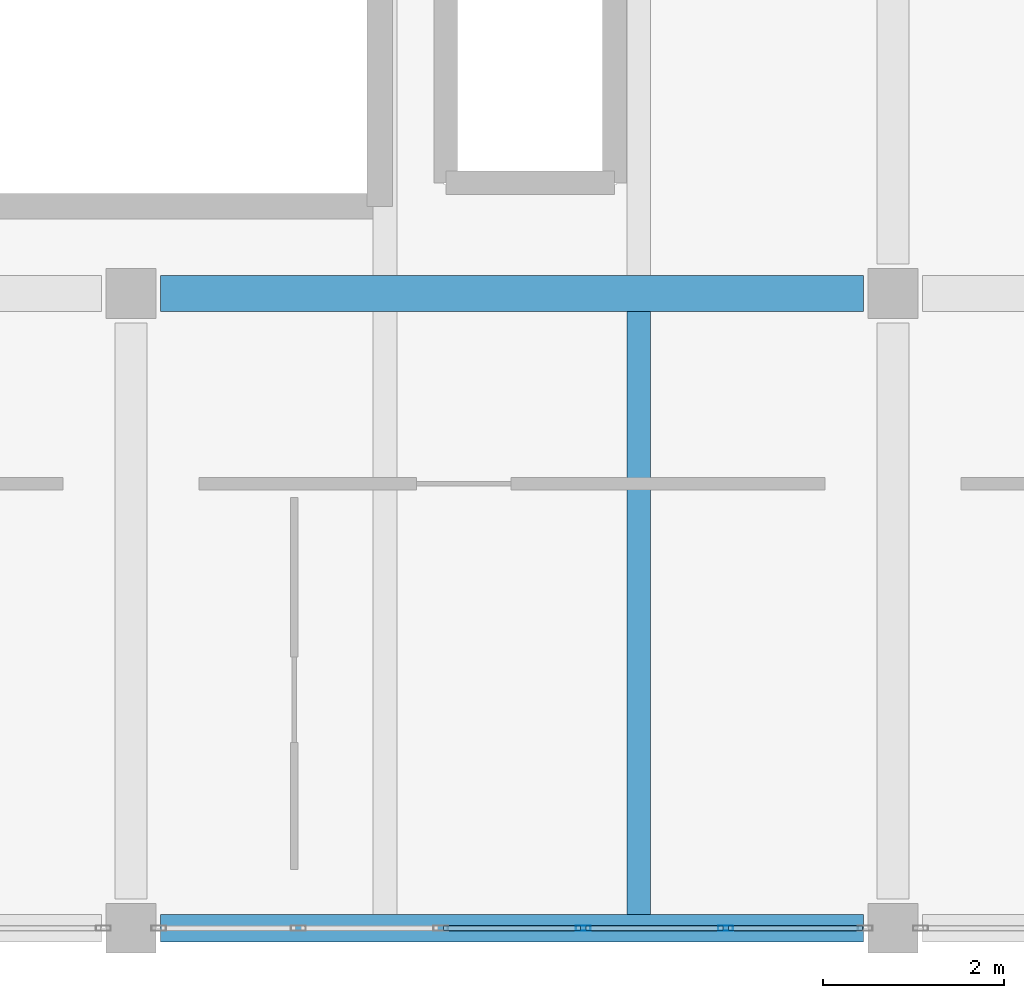
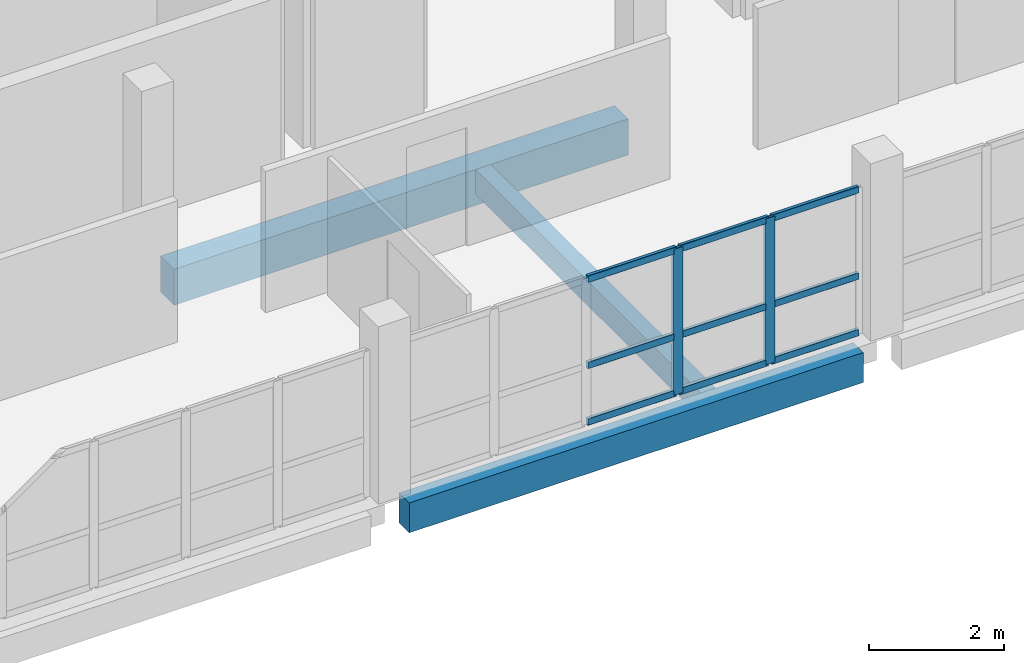
# One storey, part 3 of 24: 11 members, 3 beams, 1 element without a shape of its own.
"""IFC4 building model written with IfcOpenShell, lengths in metres."""

from ifc_helpers import new_model, si_unit, direction, frame, origin, origin_2d, place, context, subcontext, project, spatial, rectangle, hollow_rectangle, extrude, material, layer, layer_set, material_profile, profile_set, type_object, element, aggregate, save


model = new_model("IFC4")

# Units and contexts
model_context = context("Model", 3, precision=1e-05, world=origin(), true_north=direction((0.0, 1.0)))
body_context = subcontext(model_context, "Body", "Model", "MODEL_VIEW")
ifc_project = project(units=[si_unit("LENGTHUNIT", "METRE"), si_unit("AREAUNIT", "SQUARE_METRE"), si_unit("VOLUMEUNIT", "CUBIC_METRE"), si_unit("PLANEANGLEUNIT", "RADIAN"), si_unit("MASSUNIT", "GRAM", prefix="KILO"), si_unit("THERMODYNAMICTEMPERATUREUNIT", "KELVIN"), si_unit("POWERUNIT", "WATT")], contexts=[model_context])

# Site, building, storey
site_placement = place(None, origin())
site = spatial("IfcSite", under=ifc_project, at=site_placement, CompositionType="ELEMENT")
building_placement = place(site_placement, origin())
building = spatial("IfcBuilding", under=site, at=building_placement, Name="Mavoryth Pier Ferry Terminal", CompositionType="ELEMENT")
storey_placement = place(building_placement, frame((0.0, 0.0, 16.320068359375)))
storey = spatial("IfcBuildingStorey", under=building, at=storey_placement, Name="L04", CompositionType="ELEMENT", Elevation=16.320068359375)

# Beams
ifc_material_1 = material(Name="Concrete C35/45", Category="concrete")
ifc_material_profile_1 = material_profile(ifc_material_1, rectangle(XDim=0.39990234375, YDim=0.64990234375, at=origin_2d()), Name="RC 400x650", Category="concrete")
ifc_profile_set_1 = profile_set([ifc_material_profile_1], Name="Concrete C35/45 - RC 400x650")
beam_type_1 = type_object("IfcBeamType", Name="Girder-RC-400x650", PredefinedType="BEAM", material=ifc_profile_set_1)
beam_1_placement = place(storey_placement, frame((50.72509765625, 7.0, -0.5849609375), z_axis=(1.0, 0.0, 0.0), x_axis=(0.0, 1.0, 0.0)))
element("IfcBeam", 1, at=beam_1_placement, inside=storey, type_object=beam_type_1, Name="Beam B04-BG05-1463", PredefinedType="BEAM", context=body_context, shape_type="SweptSolid", body=[
    extrude(rectangle(XDim=0.39990234375, YDim=0.64990234375, at=origin_2d()), origin(), (0.0, 0.0, 1.0), 7.75),
])
ifc_material_profile_2 = material_profile(ifc_material_1, rectangle(XDim=0.260009765625, YDim=0.449951171875, at=origin_2d()), Name="RC 260x450", Category="concrete")
ifc_profile_set_2 = profile_set([ifc_material_profile_2], Name="Concrete C35/45 - RC 260x450")
beam_type_2 = type_object("IfcBeamType", Name="Joist-RC-260x450", PredefinedType="JOIST", material=ifc_profile_set_2)
beam_2_placement = place(storey_placement, frame((56.0, 0.14990234375, -0.485107421875), z_axis=(0.0, 1.0, 0.0), x_axis=(-1.0, 0.0, 0.0)))
element("IfcBeam", 2, at=beam_2_placement, inside=storey, type_object=beam_type_2, Name="Beam B04-BJ03-1497", PredefinedType="JOIST", context=body_context, shape_type="SweptSolid", body=[
    extrude(rectangle(XDim=0.260009765625, YDim=0.449951171875, at=origin_2d()), origin(), (0.0, 0.0, 1.0), 6.650146484375),
])

# Curtain wall, members
ifc_material_2 = material(Name="Anodised Aluminium and Solar-Control Low-E Glass", Category="aluminium")
ifc_layer = layer(ifc_material_2, 0.260009765625, Name="Anodised Aluminium and Solar-Control Low-E Glass", Category="aluminium")
ifc_layer_set = layer_set([ifc_layer], Name="Anodised Aluminium and Solar-Control Low-E Glass - CW-VTSBridge-Mod1500")
curtain_wall_type = type_object("IfcCurtainWallType", Name="CW-VTSBridge-Mod1500", PredefinedType="USERDEFINED", material=ifc_layer_set)
curtain_wall_placement = place(storey_placement, origin())
curtain_wall = element("IfcCurtainWall", 3, at=curtain_wall_placement, inside=storey, type_object=curtain_wall_type, Name="Curtain Wall CW-0422-151", ObjectType="UNITISED CURTAIN WALL", PredefinedType="USERDEFINED")
ifc_material_3 = material(Name="Anodised Aluminium EN AW-6063", Category="aluminium")
ifc_material_profile_3 = material_profile(ifc_material_3, hollow_rectangle(XDim=0.06005859375, YDim=0.1650390625, WallThickness=0.00390625, InnerFilletRadius=0.00390625, OuterFilletRadius=0.008056640625, at=origin_2d()), Name="AL-MULL 165x60x4", Category="aluminium")
ifc_profile_set_3 = profile_set([ifc_material_profile_3], Name="Anodised Aluminium EN AW-6063 - AL-MULL 165x60x4")
member_type_1 = type_object("IfcMemberType", Name="Mullion-Alum-165x60", PredefinedType="MULLION", material=ifc_profile_set_3)
member_1_placement = place(storey_placement, frame((55.385009765625, 0.0, 0.0), z_axis=(0.0, 0.0, 1.0), x_axis=(0.0, 1.0, 0.0)))
member_1 = element("IfcMember", 4, at=member_1_placement, type_object=member_type_1, Name="CW07 mullion 4", PredefinedType="MULLION", context=body_context, shape_type="SweptSolid", body=[
    extrude(hollow_rectangle(XDim=0.06005859375, YDim=0.1650390625, WallThickness=0.00390625, InnerFilletRadius=0.00390625, OuterFilletRadius=0.008056640625, at=origin_2d()), origin(), (0.0, 0.0, 1.0), 2.635009765625),
])
member_2_placement = place(storey_placement, frame((56.955078125, 0.0, 0.0), z_axis=(0.0, 0.0, 1.0), x_axis=(0.0, 1.0, 0.0)))
member_2 = element("IfcMember", 5, at=member_2_placement, type_object=member_type_1, Name="CW07 mullion 5", PredefinedType="MULLION", context=body_context, shape_type="SweptSolid", body=[
    extrude(hollow_rectangle(XDim=0.06005859375, YDim=0.1650390625, WallThickness=0.00390625, InnerFilletRadius=0.00390625, OuterFilletRadius=0.008056640625, at=origin_2d()), origin(), (0.0, 0.0, 1.0), 2.635009765625),
])

# Beam
ifc_material_profile_4 = material_profile(ifc_material_1, rectangle(XDim=0.300048828125, YDim=0.5400390625, at=origin_2d()), Name="RC 300x540", Category="concrete")
ifc_profile_set_4 = profile_set([ifc_material_profile_4], Name="Concrete C35/45 - RC 300x540")
beam_type_3 = type_object("IfcBeamType", Name="Spandrel-RC-300x540", PredefinedType="SPANDREL", material=ifc_profile_set_4)
beam_3_placement = place(storey_placement, frame((50.72509765625, 0.0, -0.530029296875), z_axis=(1.0, 0.0, 0.0), x_axis=(0.0, 1.0, 0.0)))
element("IfcBeam", 6, at=beam_3_placement, inside=storey, type_object=beam_type_3, Name="Beam B04-SP02-1458", PredefinedType="SPANDREL", context=body_context, shape_type="SweptSolid", body=[
    extrude(rectangle(XDim=0.300048828125, YDim=0.5400390625, at=origin_2d()), origin(), (0.0, 0.0, 1.0), 7.75),
])

# Member
ifc_material_profile_5 = material_profile(ifc_material_3, hollow_rectangle(XDim=0.06005859375, YDim=0.125, WallThickness=0.00390625, InnerFilletRadius=0.00390625, OuterFilletRadius=0.008056640625, at=origin_2d()), Name="AL-TRAN 125x60x4", Category="aluminium")
ifc_profile_set_5 = profile_set([ifc_material_profile_5], Name="Anodised Aluminium EN AW-6063 - AL-TRAN 125x60x4")
member_type_2 = type_object("IfcMemberType", Name="Transom-Alum-125x60", PredefinedType="USERDEFINED", material=ifc_profile_set_5)
member_3_placement = place(storey_placement, frame((53.844970703125, 0.0, 0.030029296875), z_axis=(1.0, 0.0, 0.0), x_axis=(0.0, 1.0, 0.0)))
member_3 = element("IfcMember", 7, at=member_3_placement, type_object=member_type_2, Name="CW07 transom 3.1", ObjectType="TRANSOM", PredefinedType="USERDEFINED", context=body_context, shape_type="SweptSolid", body=[
    extrude(hollow_rectangle(XDim=0.06005859375, YDim=0.125, WallThickness=0.00390625, InnerFilletRadius=0.00390625, OuterFilletRadius=0.008056640625, at=origin_2d()), origin(), (0.0, 0.0, 1.0), 1.510009765625),
])

member_4_placement = place(storey_placement, frame((53.844970703125, 0.0, 1.050048828125), z_axis=(1.0, 0.0, 0.0), x_axis=(0.0, 1.0, 0.0)))
member_4 = element("IfcMember", 8, at=member_4_placement, type_object=member_type_2, Name="CW07 transom 3.2", ObjectType="TRANSOM", PredefinedType="USERDEFINED", context=body_context, shape_type="SweptSolid", body=[
    extrude(hollow_rectangle(XDim=0.06005859375, YDim=0.125, WallThickness=0.00390625, InnerFilletRadius=0.00390625, OuterFilletRadius=0.008056640625, at=origin_2d()), origin(), (0.0, 0.0, 1.0), 1.510009765625),
])

member_5_placement = place(storey_placement, frame((53.844970703125, 0.0, 2.60498046875), z_axis=(1.0, 0.0, 0.0), x_axis=(0.0, 1.0, 0.0)))
member_5 = element("IfcMember", 9, at=member_5_placement, type_object=member_type_2, Name="CW07 transom 3.3", ObjectType="TRANSOM", PredefinedType="USERDEFINED", context=body_context, shape_type="SweptSolid", body=[
    extrude(hollow_rectangle(XDim=0.06005859375, YDim=0.125, WallThickness=0.00390625, InnerFilletRadius=0.00390625, OuterFilletRadius=0.008056640625, at=origin_2d()), origin(), (0.0, 0.0, 1.0), 1.510009765625),
])

member_6_placement = place(storey_placement, frame((55.4150390625, 0.0, 0.030029296875), z_axis=(1.0, 0.0, 0.0), x_axis=(0.0, 1.0, 0.0)))
member_6 = element("IfcMember", 10, at=member_6_placement, type_object=member_type_2, Name="CW07 transom 4.1", ObjectType="TRANSOM", PredefinedType="USERDEFINED", context=body_context, shape_type="SweptSolid", body=[
    extrude(hollow_rectangle(XDim=0.06005859375, YDim=0.125, WallThickness=0.00390625, InnerFilletRadius=0.00390625, OuterFilletRadius=0.008056640625, at=origin_2d()), origin(), (0.0, 0.0, 1.0), 1.510009765625),
])

member_7_placement = place(storey_placement, frame((55.4150390625, 0.0, 1.050048828125), z_axis=(1.0, 0.0, 0.0), x_axis=(0.0, 1.0, 0.0)))
member_7 = element("IfcMember", 11, at=member_7_placement, type_object=member_type_2, Name="CW07 transom 4.2", ObjectType="TRANSOM", PredefinedType="USERDEFINED", context=body_context, shape_type="SweptSolid", body=[
    extrude(hollow_rectangle(XDim=0.06005859375, YDim=0.125, WallThickness=0.00390625, InnerFilletRadius=0.00390625, OuterFilletRadius=0.008056640625, at=origin_2d()), origin(), (0.0, 0.0, 1.0), 1.510009765625),
])

member_8_placement = place(storey_placement, frame((55.4150390625, 0.0, 2.60498046875), z_axis=(1.0, 0.0, 0.0), x_axis=(0.0, 1.0, 0.0)))
member_8 = element("IfcMember", 12, at=member_8_placement, type_object=member_type_2, Name="CW07 transom 4.3", ObjectType="TRANSOM", PredefinedType="USERDEFINED", context=body_context, shape_type="SweptSolid", body=[
    extrude(hollow_rectangle(XDim=0.06005859375, YDim=0.125, WallThickness=0.00390625, InnerFilletRadius=0.00390625, OuterFilletRadius=0.008056640625, at=origin_2d()), origin(), (0.0, 0.0, 1.0), 1.510009765625),
])

member_9_placement = place(storey_placement, frame((56.985107421875, 0.0, 0.030029296875), z_axis=(1.0, 0.0, 0.0), x_axis=(0.0, 1.0, 0.0)))
member_9 = element("IfcMember", 13, at=member_9_placement, type_object=member_type_2, Name="CW07 transom 5.1", ObjectType="TRANSOM", PredefinedType="USERDEFINED", context=body_context, shape_type="SweptSolid", body=[
    extrude(hollow_rectangle(XDim=0.06005859375, YDim=0.125, WallThickness=0.00390625, InnerFilletRadius=0.00390625, OuterFilletRadius=0.008056640625, at=origin_2d()), origin(), (0.0, 0.0, 1.0), 1.47998046875),
])

member_10_placement = place(storey_placement, frame((56.985107421875, 0.0, 1.050048828125), z_axis=(1.0, 0.0, 0.0), x_axis=(0.0, 1.0, 0.0)))
member_10 = element("IfcMember", 14, at=member_10_placement, type_object=member_type_2, Name="CW07 transom 5.2", ObjectType="TRANSOM", PredefinedType="USERDEFINED", context=body_context, shape_type="SweptSolid", body=[
    extrude(hollow_rectangle(XDim=0.06005859375, YDim=0.125, WallThickness=0.00390625, InnerFilletRadius=0.00390625, OuterFilletRadius=0.008056640625, at=origin_2d()), origin(), (0.0, 0.0, 1.0), 1.47998046875),
])

member_11_placement = place(storey_placement, frame((56.985107421875, 0.0, 2.60498046875), z_axis=(1.0, 0.0, 0.0), x_axis=(0.0, 1.0, 0.0)))
member_11 = element("IfcMember", 15, at=member_11_placement, type_object=member_type_2, Name="CW07 transom 5.3", ObjectType="TRANSOM", PredefinedType="USERDEFINED", context=body_context, shape_type="SweptSolid", body=[
    extrude(hollow_rectangle(XDim=0.06005859375, YDim=0.125, WallThickness=0.00390625, InnerFilletRadius=0.00390625, OuterFilletRadius=0.008056640625, at=origin_2d()), origin(), (0.0, 0.0, 1.0), 1.47998046875),
])

aggregate(curtain_wall, [member_1, member_2, member_3, member_4, member_5, member_6, member_7, member_8, member_9, member_10, member_11])

save(model, "model.ifc")
